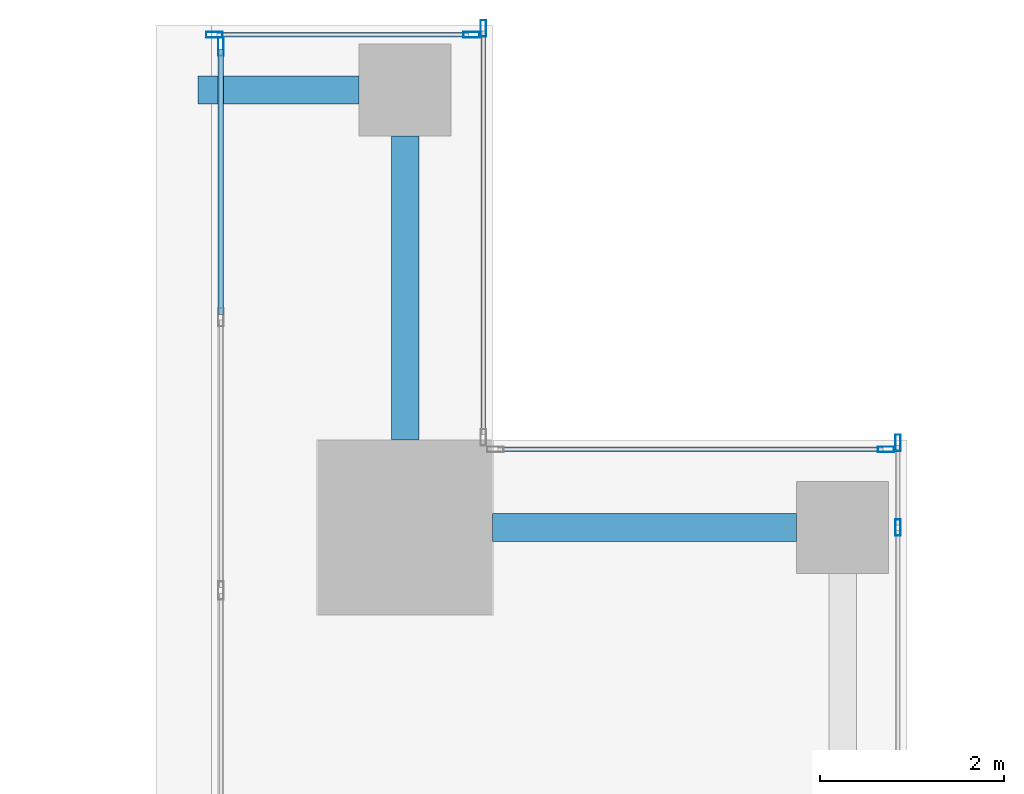
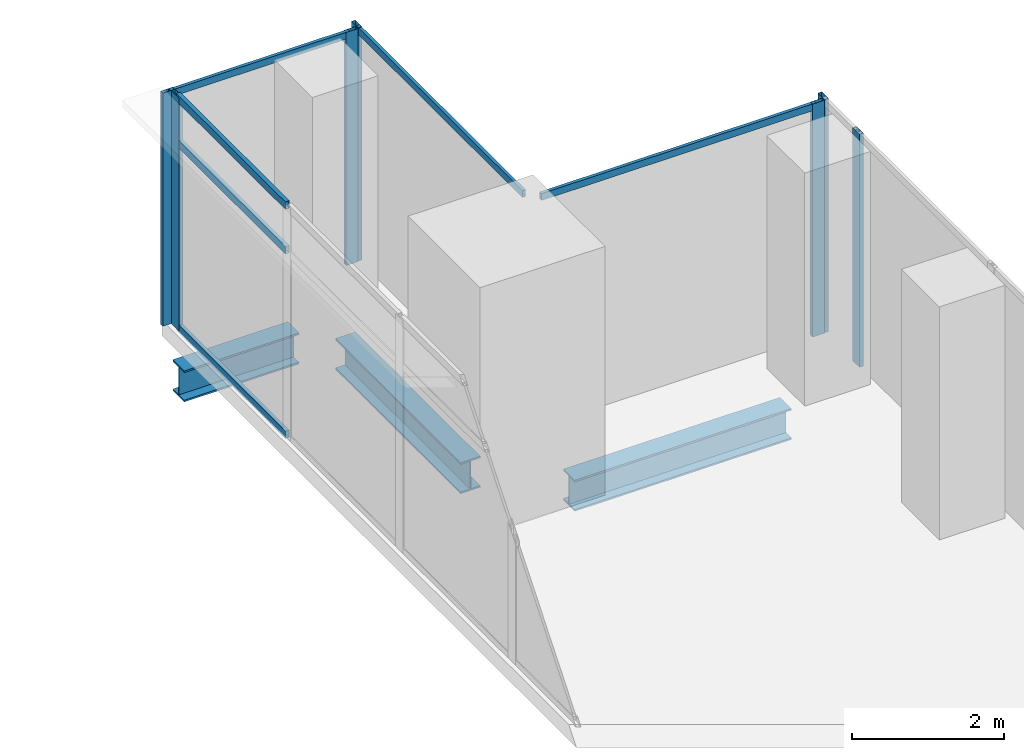
# One storey, part 25 of 37: 13 members, 3 beams, 5 elements without a shape of their own.
"""IFC4 building model written with IfcOpenShell, lengths in metres."""

from ifc_helpers import new_model, si_unit, direction, frame, origin, origin_2d, place, context, subcontext, project, spatial, hollow_rectangle, i_section, extrude, source, transform, mapped, material, material_profile, profile_set, type_object, element, aggregate, save


model = new_model("IFC4")

# Units and contexts
model_context = context("Model", 3, precision=1e-05, world=origin(), true_north=direction((0.0, 1.0)))
body_context = subcontext(model_context, "Body", "Model", "MODEL_VIEW")
ifc_project = project(units=[si_unit("LENGTHUNIT", "METRE"), si_unit("AREAUNIT", "SQUARE_METRE"), si_unit("VOLUMEUNIT", "CUBIC_METRE"), si_unit("PLANEANGLEUNIT", "RADIAN"), si_unit("MASSUNIT", "GRAM", prefix="KILO")], contexts=[model_context])

# Site, building, storey
site_placement = place(None, origin())
site = spatial("IfcSite", under=ifc_project, at=site_placement, CompositionType="ELEMENT")
building_placement = place(site_placement, origin())
building = spatial("IfcBuilding", under=site, at=building_placement, Name="Khomas Fold Tower", CompositionType="ELEMENT")
storey_placement = place(building_placement, frame((0.0, 0.0, 168.699951171875)))
storey = spatial("IfcBuildingStorey", under=building, at=storey_placement, Name="L36", CompositionType="ELEMENT", Elevation=168.699951171875)

# Beams
ifc_material_1 = material(Name="Steel S355", Category="steel")
ifc_material_profile_1 = material_profile(ifc_material_1, i_section(OverallWidth=0.300048828125, OverallDepth=0.5, WebThickness=0.014404296875, FlangeThickness=0.028076171875, at=origin_2d()), Name="HE 500 B")
ifc_profile_set_1 = profile_set([ifc_material_profile_1], Name="Steel S355")
beam_type = type_object("IfcBeamType", Name="HE 500 B spandrel SB3", PredefinedType="SPANDREL", material=ifc_profile_set_1)
shared_shape_1 = source(origin(), body_context, "Body", "SweptSolid", [
    extrude(i_section(OverallWidth=0.300048828125, OverallDepth=0.5, WebThickness=0.014404296875, FlangeThickness=0.028076171875, at=origin_2d()), origin(), (0.0, 0.0, 1.0), 3.300048828125),
])
for number, where, z_axis, x_axis, name in (
    (1, (46.5, 45.550048828125, -0.5), (1.0, 0.0, 0.0), (0.0, 1.0, 0.0), "SB3"),
    (2, (45.550048828125, 46.5, -0.5), (0.0, 1.0, 0.0), (-1.0, 0.0, 0.0), "SB3"),
):
    element("IfcBeam", number, at=place(storey_placement, frame(where, z_axis=z_axis, x_axis=x_axis)), inside=storey, type_object=beam_type, Name=name, PredefinedType="SPANDREL", context=body_context, shape_type="MappedRepresentation", body=[
        mapped(shared_shape_1, transform((0.0, 0.0, 0.0))),
    ])
shared_shape_2 = source(origin(), body_context, "Body", "SweptSolid", [
    extrude(i_section(OverallWidth=0.300048828125, OverallDepth=0.5, WebThickness=0.014404296875, FlangeThickness=0.028076171875, at=origin_2d()), origin(), (0.0, 0.0, 1.0), 1.75),
])
beam_placement = place(storey_placement, frame((43.300048828125, 50.300048828125, -0.5), z_axis=(1.0, 0.0, 0.0), x_axis=(0.0, 1.0, 0.0)))
element("IfcBeam", 3, at=beam_placement, inside=storey, type_object=beam_type, Name="SB3", PredefinedType="SPANDREL", context=body_context, shape_type="MappedRepresentation", body=[
    mapped(shared_shape_2, transform((0.0, 0.0, 0.0))),
])

# Curtain wall, members
ifc_material_2 = material(Name="Aluminium framed double glazing", Category="aluminium")
curtain_wall_type_1 = type_object("IfcCurtainWallType", Name="SK-Unitised clear-glass wall, office floors CW2", PredefinedType="NOTDEFINED", material=ifc_material_2)
curtain_wall_1_placement = place(storey_placement, origin())
curtain_wall_1 = element("IfcCurtainWall", 4, at=curtain_wall_1_placement, inside=storey, type_object=curtain_wall_type_1, Name="CW2 run L36 08-1", PredefinedType="NOTDEFINED")
ifc_material_3 = material(Name="Aluminium", Category="aluminium")
ifc_material_profile_2 = material_profile(ifc_material_3, hollow_rectangle(XDim=0.06005859375, YDim=0.179931640625, WallThickness=0.00390625, at=origin_2d()), Name="SK-Unitised clear-glass wall, office floors mullion CW2-M")
ifc_profile_set_2 = profile_set([ifc_material_profile_2], Name="Aluminium")
member_type_1 = type_object("IfcMemberType", Name="SK-Unitised clear-glass wall, office floors mullion CW2-M", PredefinedType="MULLION", material=ifc_profile_set_2)
shared_shape_3 = source(origin(), body_context, "Body", "SweptSolid", [
    extrude(hollow_rectangle(XDim=0.06005859375, YDim=0.179931640625, WallThickness=0.00390625, at=origin_2d()), origin(), (0.0, 0.0, 1.0), 3.75),
])
member_1_placement = place(storey_placement, frame((50.89990234375, 45.550048828125, 0.0), z_axis=(0.0, 0.0, 1.0), x_axis=(-1.0, 0.0, 0.0)))
member_1 = element("IfcMember", 5, at=member_1_placement, type_object=member_type_1, Name="CW2 mullion 5", PredefinedType="MULLION", context=body_context, shape_type="MappedRepresentation", body=[
    mapped(shared_shape_3, transform((0.0, 0.0, 0.0))),
])
member_2_placement = place(storey_placement, frame((50.89990234375, 46.469970703125, 0.0), z_axis=(0.0, 0.0, 1.0), x_axis=(-1.0, 0.0, 0.0)))
member_2 = element("IfcMember", 6, at=member_2_placement, type_object=member_type_1, Name="CW2 mullion 6", PredefinedType="MULLION", context=body_context, shape_type="MappedRepresentation", body=[
    mapped(shared_shape_3, transform((0.0, 0.0, 0.0))),
])
aggregate(curtain_wall_1, [member_1, member_2])

# Curtain wall, member
curtain_wall_2_placement = place(storey_placement, origin())
curtain_wall_2 = element("IfcCurtainWall", 7, at=curtain_wall_2_placement, inside=storey, type_object=curtain_wall_type_1, Name="CW2 corner return L36 09", PredefinedType="NOTDEFINED")
member_3_placement = place(storey_placement, frame((50.77001953125, 46.39990234375, 0.0), z_axis=(0.0, 0.0, 1.0), x_axis=(0.0, -1.0, 0.0)))
member_3 = element("IfcMember", 8, at=member_3_placement, type_object=member_type_1, Name="CW2 mullion 1", PredefinedType="MULLION", context=body_context, shape_type="MappedRepresentation", body=[
    mapped(shared_shape_3, transform((0.0, 0.0, 0.0))),
])

curtain_wall_3_placement = place(storey_placement, origin())
curtain_wall_3 = element("IfcCurtainWall", 9, at=curtain_wall_3_placement, inside=storey, type_object=curtain_wall_type_1, Name="CW2 corner return L36 10", PredefinedType="NOTDEFINED")
member_4_placement = place(storey_placement, frame((46.39990234375, 50.969970703125, 0.0), z_axis=(0.0, 0.0, 1.0), x_axis=(-1.0, 0.0, 0.0)))
member_4 = element("IfcMember", 10, at=member_4_placement, type_object=member_type_1, Name="CW2 mullion 2", PredefinedType="MULLION", context=body_context, shape_type="MappedRepresentation", body=[
    mapped(shared_shape_3, transform((0.0, 0.0, 0.0))),
])

# Curtain wall, members
curtain_wall_4_placement = place(storey_placement, origin())
curtain_wall_4 = element("IfcCurtainWall", 11, at=curtain_wall_4_placement, inside=storey, type_object=curtain_wall_type_1, Name="CW2 corner return L36 11", PredefinedType="NOTDEFINED")
member_5_placement = place(storey_placement, frame((46.27001953125, 50.89990234375, 0.0), z_axis=(0.0, 0.0, 1.0), x_axis=(0.0, -1.0, 0.0)))
member_5 = element("IfcMember", 12, at=member_5_placement, type_object=member_type_1, Name="CW2 mullion 1", PredefinedType="MULLION", context=body_context, shape_type="MappedRepresentation", body=[
    mapped(shared_shape_3, transform((0.0, 0.0, 0.0))),
])
member_6_placement = place(storey_placement, frame((43.47998046875, 50.89990234375, 0.0), z_axis=(0.0, 0.0, 1.0), x_axis=(0.0, -1.0, 0.0)))
member_6 = element("IfcMember", 13, at=member_6_placement, type_object=member_type_1, Name="CW2 mullion 2", PredefinedType="MULLION", context=body_context, shape_type="MappedRepresentation", body=[
    mapped(shared_shape_3, transform((0.0, 0.0, 0.0))),
])

# Member
ifc_material_4 = material(Name="Aluminium", Category="aluminium")
ifc_material_profile_3 = material_profile(ifc_material_4, hollow_rectangle(XDim=0.050048828125, YDim=0.110107421875, WallThickness=0.00390625, at=origin_2d()), Name="SK-Unitised clear-glass wall, office floors transom CW2-T")
ifc_profile_set_3 = profile_set([ifc_material_profile_3], Name="Aluminium")
member_type_2 = type_object("IfcMemberType", Name="SK-Unitised clear-glass wall, office floors transom CW2-T", PredefinedType="USERDEFINED", material=ifc_profile_set_3)
shared_shape_4 = source(origin(), body_context, "Body", "SweptSolid", [
    extrude(hollow_rectangle(XDim=0.050048828125, YDim=0.110107421875, WallThickness=0.00390625, at=origin_2d()), origin(), (0.0, 0.0, 1.0), 4.3798828125),
])
member_7_placement = place(storey_placement, frame((46.39990234375, 46.56005859375, 3.695068359375), z_axis=(0.0, 1.0, 0.0), x_axis=(-1.0, 0.0, 0.0)))
member_7 = element("IfcMember", 14, at=member_7_placement, type_object=member_type_2, Name="CW2 transom 1", ObjectType="TRANSOM", PredefinedType="USERDEFINED", context=body_context, shape_type="MappedRepresentation", body=[
    mapped(shared_shape_4, transform((0.0, 0.0, 0.0))),
])

aggregate(curtain_wall_3, [member_4, member_7])

shared_shape_5 = source(origin(), body_context, "Body", "SweptSolid", [
    extrude(hollow_rectangle(XDim=0.050048828125, YDim=0.110107421875, WallThickness=0.00390625, at=origin_2d()), origin(), (0.0, 0.0, 1.0), 4.179931640625),
])
member_8_placement = place(storey_placement, frame((50.739990234375, 46.39990234375, 3.695068359375), z_axis=(-1.0, 0.0, 0.0), x_axis=(0.0, -1.0, 0.0)))
member_8 = element("IfcMember", 15, at=member_8_placement, type_object=member_type_2, Name="CW2 transom 1", ObjectType="TRANSOM", PredefinedType="USERDEFINED", context=body_context, shape_type="MappedRepresentation", body=[
    mapped(shared_shape_5, transform((0.0, 0.0, 0.0))),
])

aggregate(curtain_wall_2, [member_3, member_8])

shared_shape_6 = source(origin(), body_context, "Body", "SweptSolid", [
    extrude(hollow_rectangle(XDim=0.050048828125, YDim=0.110107421875, WallThickness=0.00390625, at=origin_2d()), origin(), (0.0, 0.0, 1.0), 2.72998046875),
])
member_9_placement = place(storey_placement, frame((46.239990234375, 50.89990234375, 3.695068359375), z_axis=(-1.0, 0.0, 0.0), x_axis=(0.0, -1.0, 0.0)))
member_9 = element("IfcMember", 16, at=member_9_placement, type_object=member_type_2, Name="CW2 transom 1", ObjectType="TRANSOM", PredefinedType="USERDEFINED", context=body_context, shape_type="MappedRepresentation", body=[
    mapped(shared_shape_6, transform((0.0, 0.0, 0.0))),
])

aggregate(curtain_wall_4, [member_5, member_6, member_9])

# Curtain wall, members
ifc_material_5 = material(Name="Aluminium framed double glazing", Category="aluminium")
curtain_wall_type_2 = type_object("IfcCurtainWallType", Name="Notch glazing GN-CW", PredefinedType="NOTDEFINED", material=ifc_material_5)
curtain_wall_5_placement = place(storey_placement, origin())
curtain_wall_5 = element("IfcCurtainWall", 17, at=curtain_wall_5_placement, inside=storey, type_object=curtain_wall_type_2, Name="Notch glazing run", PredefinedType="NOTDEFINED")
ifc_material_6 = material(Name="Aluminium", Category="aluminium")
ifc_material_profile_4 = material_profile(ifc_material_6, hollow_rectangle(XDim=0.06005859375, YDim=0.1201171875, WallThickness=0.00390625, at=origin_2d()), Name="Notch glazing transom GN-CW-T")
ifc_profile_set_4 = profile_set([ifc_material_profile_4], Name="Aluminium")
member_type_3 = type_object("IfcMemberType", Name="Notch glazing transom GN-CW-T", PredefinedType="USERDEFINED", material=ifc_profile_set_4)
shared_shape_7 = source(origin(), body_context, "Body", "SweptSolid", [
    extrude(hollow_rectangle(XDim=0.06005859375, YDim=0.1201171875, WallThickness=0.00390625, at=origin_2d()), origin(), (0.0, 0.0, 1.0), 2.876708984375),
])
member_10_placement = place(storey_placement, frame((43.550048828125, 50.739990234375, 0.030029296875), z_axis=(0.0, -1.0, 0.0), x_axis=(1.0, 0.0, 0.0)))
member_10 = element("IfcMember", 18, at=member_10_placement, type_object=member_type_3, Name="GN-CW transom 1.1", ObjectType="TRANSOM", PredefinedType="USERDEFINED", context=body_context, shape_type="MappedRepresentation", body=[
    mapped(shared_shape_7, transform((0.0, 0.0, 0.0))),
])
member_11_placement = place(storey_placement, frame((43.550048828125, 50.739990234375, 3.0), z_axis=(0.0, -1.0, 0.0), x_axis=(1.0, 0.0, 0.0)))
member_11 = element("IfcMember", 19, at=member_11_placement, type_object=member_type_3, Name="GN-CW transom 1.2", ObjectType="TRANSOM", PredefinedType="USERDEFINED", context=body_context, shape_type="MappedRepresentation", body=[
    mapped(shared_shape_7, transform((0.0, 0.0, 0.0))),
])
member_12_placement = place(storey_placement, frame((43.550048828125, 50.739990234375, 3.719970703125), z_axis=(0.0, -1.0, 0.0), x_axis=(1.0, 0.0, 0.0)))
member_12 = element("IfcMember", 20, at=member_12_placement, type_object=member_type_3, Name="GN-CW transom 1.3", ObjectType="TRANSOM", PredefinedType="USERDEFINED", context=body_context, shape_type="MappedRepresentation", body=[
    mapped(shared_shape_7, transform((0.0, 0.0, 0.0))),
])
ifc_material_7 = material(Name="Aluminium", Category="aluminium")
ifc_material_profile_5 = material_profile(ifc_material_7, hollow_rectangle(XDim=0.06005859375, YDim=0.199951171875, WallThickness=0.00390625, at=origin_2d()), Name="Notch glazing mullion GN-CW-M")
ifc_profile_set_5 = profile_set([ifc_material_profile_5], Name="Aluminium")
member_type_4 = type_object("IfcMemberType", Name="Notch glazing mullion GN-CW-M", PredefinedType="MULLION", material=ifc_profile_set_5)
shared_shape_8 = source(origin(), body_context, "Body", "SweptSolid", [
    extrude(hollow_rectangle(XDim=0.06005859375, YDim=0.199951171875, WallThickness=0.00390625, at=origin_2d()), origin(), (0.0, 0.0, 1.0), 3.75),
])
member_13_placement = place(storey_placement, frame((43.550048828125, 50.77001953125, 0.0), z_axis=(0.0, 0.0, 1.0), x_axis=(1.0, 0.0, 0.0)))
member_13 = element("IfcMember", 21, at=member_13_placement, type_object=member_type_4, Name="GN-CW mullion 1", PredefinedType="MULLION", context=body_context, shape_type="MappedRepresentation", body=[
    mapped(shared_shape_8, transform((0.0, 0.0, 0.0))),
])
aggregate(curtain_wall_5, [member_13, member_10, member_11, member_12])

save(model, "model.ifc")
